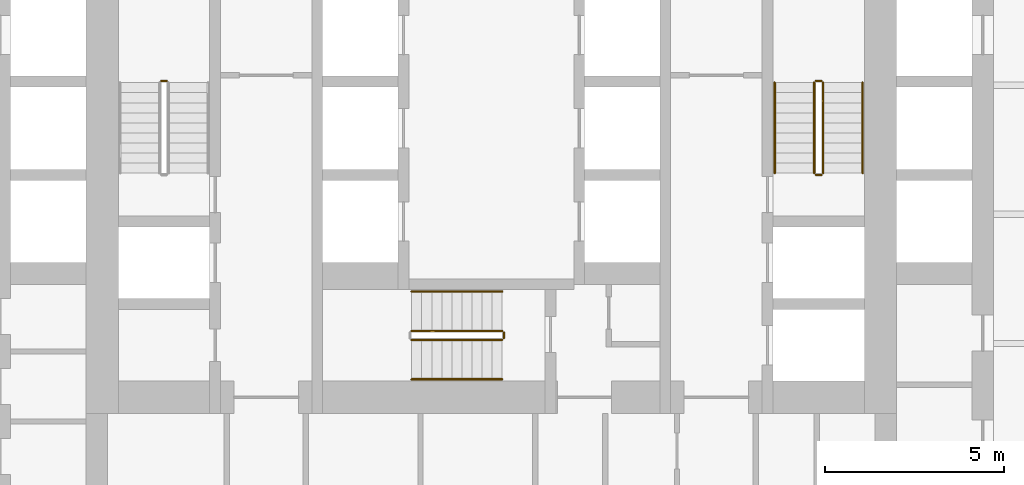
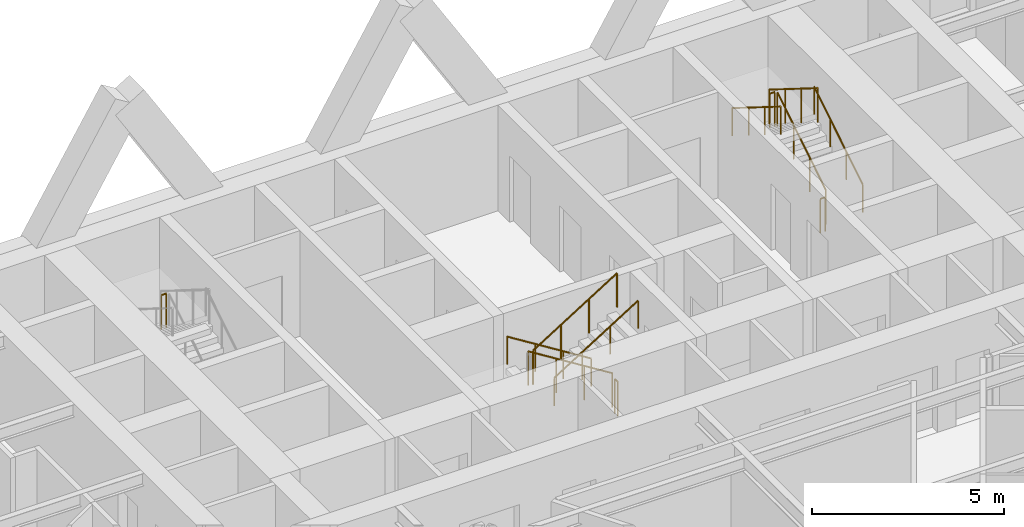
# One storey, part 11 of 11: 12 railings.
"""IFC4 building model written with IfcOpenShell, lengths in metres."""

from ifc_helpers import new_model, si_unit, direction, frame, origin, origin_2d, place, context, subcontext, project, spatial, circle, extrude, material, type_object, element, save


model = new_model("IFC4")

# Units and contexts
model_context = context("Model", 3, precision=1e-05, world=origin(), true_north=direction((0.0, 1.0)))
body_context = subcontext(model_context, "Body", "Model", "MODEL_VIEW")
ifc_project = project(units=[si_unit("LENGTHUNIT", "METRE"), si_unit("AREAUNIT", "SQUARE_METRE"), si_unit("VOLUMEUNIT", "CUBIC_METRE"), si_unit("PLANEANGLEUNIT", "RADIAN"), si_unit("MASSUNIT", "GRAM", prefix="KILO")], contexts=[model_context])

# Site, building, storey
site_placement = place(None, origin())
site = spatial("IfcSite", under=ifc_project, at=site_placement, CompositionType="ELEMENT")
building_placement = place(site_placement, origin())
building = spatial("IfcBuilding", under=site, at=building_placement, Name="Aloe Facet Convention Tower", CompositionType="ELEMENT")
storey_placement = place(building_placement, frame((0.0, 0.0, 95.800048828125)))
storey = spatial("IfcBuildingStorey", under=building, at=storey_placement, Name="L23", CompositionType="ELEMENT", Elevation=95.800048828125)

# Railings
ifc_material_1 = material(Name="Steel S355 balustrade", Category="steel")
railing_type_1 = type_object("IfcRailingType", Name="CR-RL-GUARD", PredefinedType="GUARDRAIL", material=ifc_material_1)
railing_1_placement = place(storey_placement, frame((70.949951171875, 131.52001953125, 1.75)))
element("IfcRailing", 1, at=railing_1_placement, inside=storey, type_object=railing_type_1, Name="L23 ST1 stair guard 2", PredefinedType="GUARDRAIL", context=body_context, shape_type="SweptSolid", body=[
    extrude(circle(Radius=0.02392578125, at=origin_2d()), frame((0.0, 0.0, 1.076171875), z_axis=(-1.0, 0.0, 0.0), x_axis=(0.0, -1.0, 0.0)), (0.0, 0.0, 1.0), 0.14990234375),
    extrude(circle(Radius=0.02099609375, at=origin_2d()), origin(), (0.0, 0.0, 1.0), 1.052001953125),
    extrude(circle(Radius=0.02099609375, at=origin_2d()), frame((-0.14990234375, 0.0, 0.0)), (0.0, 0.0, 1.0), 1.052001953125),
])
railing_2_placement = place(storey_placement, frame((89.25, 128.949951171875, 0.175048828125)))
element("IfcRailing", 2, at=railing_2_placement, inside=storey, type_object=railing_type_1, Name="L23 ST2 stair guard 1", PredefinedType="GUARDRAIL", context=body_context, shape_type="SweptSolid", body=[
    extrude(circle(Radius=0.02392578125, at=origin_2d()), frame((0.0, 0.0, 1.076171875), z_axis=(0.0, 0.848007534815, 0.529984170421), x_axis=(-1.0, 0.0, 0.0)), (0.0, 0.0, 1.0), 2.9716796875),
    extrude(circle(Radius=0.02099609375, at=origin_2d()), origin(), (0.0, 0.0, 1.0), 1.052001953125),
    extrude(circle(Radius=0.02099609375, at=origin_2d()), frame((0.0, 0.840087890625, 0.52490234375)), (0.0, 0.0, 1.0), 1.052001953125),
    extrude(circle(Radius=0.02099609375, at=origin_2d()), frame((0.0, 1.679931640625, 1.050048828125)), (0.0, 0.0, 1.0), 1.052001953125),
    extrude(circle(Radius=0.02099609375, at=origin_2d()), frame((0.0, 2.52001953125, 1.574951171875)), (0.0, 0.0, 1.0), 1.052001953125),
])
railing_3_placement = place(storey_placement, frame((89.199951171875, 131.52001953125, 1.75)))
element("IfcRailing", 3, at=railing_3_placement, inside=storey, type_object=railing_type_1, Name="L23 ST2 stair guard 2", PredefinedType="GUARDRAIL", context=body_context, shape_type="SweptSolid", body=[
    extrude(circle(Radius=0.02392578125, at=origin_2d()), frame((0.0, 0.0, 1.076171875), z_axis=(-1.0, 0.0, 0.0), x_axis=(0.0, -1.0, 0.0)), (0.0, 0.0, 1.0), 0.14990234375),
    extrude(circle(Radius=0.02099609375, at=origin_2d()), origin(), (0.0, 0.0, 1.0), 1.052001953125),
    extrude(circle(Radius=0.02099609375, at=origin_2d()), frame((-0.14990234375, 0.0, 0.0)), (0.0, 0.0, 1.0), 1.052001953125),
])
railing_4_placement = place(storey_placement, frame((89.0, 131.469970703125, 1.925048828125)))
element("IfcRailing", 4, at=railing_4_placement, inside=storey, type_object=railing_type_1, Name="L23 ST2 stair guard 3", PredefinedType="GUARDRAIL", context=body_context, shape_type="SweptSolid", body=[
    extrude(circle(Radius=0.02392578125, at=origin_2d()), frame((0.0, 0.0, 1.076171875), z_axis=(0.0, -0.848007534815, 0.529984170421), x_axis=(1.0, 0.0, 0.0)), (0.0, 0.0, 1.0), 2.9716796875),
    extrude(circle(Radius=0.02099609375, at=origin_2d()), origin(), (0.0, 0.0, 1.0), 1.052001953125),
    extrude(circle(Radius=0.02099609375, at=origin_2d()), frame((0.0, -0.840087890625, 0.52490234375)), (0.0, 0.0, 1.0), 1.052001953125),
    extrude(circle(Radius=0.02099609375, at=origin_2d()), frame((0.0, -1.679931640625, 1.050048828125)), (0.0, 0.0, 1.0), 1.052001953125),
    extrude(circle(Radius=0.02099609375, at=origin_2d()), frame((0.0, -2.52001953125, 1.574951171875)), (0.0, 0.0, 1.0), 1.052001953125),
])
railing_5_placement = place(storey_placement, frame((89.199951171875, 128.89990234375, 0.0)))
element("IfcRailing", 5, at=railing_5_placement, inside=storey, type_object=railing_type_1, Name="L23 ST2 stair guard 4", PredefinedType="GUARDRAIL", context=body_context, shape_type="SweptSolid", body=[
    extrude(circle(Radius=0.02392578125, at=origin_2d()), frame((0.0, 0.0, 1.076171875), z_axis=(-1.0, 0.0, 0.0), x_axis=(0.0, -1.0, 0.0)), (0.0, 0.0, 1.0), 0.14990234375),
    extrude(circle(Radius=0.02099609375, at=origin_2d()), origin(), (0.0, 0.0, 1.0), 1.052001953125),
    extrude(circle(Radius=0.02099609375, at=origin_2d()), frame((-0.14990234375, 0.0, 0.0)), (0.0, 0.0, 1.0), 1.052001953125),
])
railing_6_placement = place(storey_placement, frame((80.300048828125, 124.550048828125, 0.175048828125)))
element("IfcRailing", 6, at=railing_6_placement, inside=storey, type_object=railing_type_1, Name="L23 ST3 stair guard 1", PredefinedType="GUARDRAIL", context=body_context, shape_type="SweptSolid", body=[
    extrude(circle(Radius=0.02392578125, at=origin_2d()), frame((0.0, 0.0, 1.076171875), z_axis=(-0.848007534815, 0.0, 0.529984170421), x_axis=(0.0, -1.0, 0.0)), (0.0, 0.0, 1.0), 2.9716796875),
    extrude(circle(Radius=0.02099609375, at=origin_2d()), origin(), (0.0, 0.0, 1.0), 1.052001953125),
    extrude(circle(Radius=0.02099609375, at=origin_2d()), frame((-0.840087890625, 0.0, 0.52490234375)), (0.0, 0.0, 1.0), 1.052001953125),
    extrude(circle(Radius=0.02099609375, at=origin_2d()), frame((-1.679931640625, 0.0, 1.050048828125)), (0.0, 0.0, 1.0), 1.052001953125),
    extrude(circle(Radius=0.02099609375, at=origin_2d()), frame((-2.52001953125, 0.0, 1.574951171875)), (0.0, 0.0, 1.0), 1.052001953125),
])
railing_7_placement = place(storey_placement, frame((77.780029296875, 124.300048828125, 1.925048828125)))
element("IfcRailing", 7, at=railing_7_placement, inside=storey, type_object=railing_type_1, Name="L23 ST3 stair guard 3", PredefinedType="GUARDRAIL", context=body_context, shape_type="SweptSolid", body=[
    extrude(circle(Radius=0.02392578125, at=origin_2d()), frame((0.0, 0.0, 1.076171875), z_axis=(0.848007534815, 0.0, 0.529984170421), x_axis=(0.0, 1.0, 0.0)), (0.0, 0.0, 1.0), 2.9716796875),
    extrude(circle(Radius=0.02099609375, at=origin_2d()), origin(), (0.0, 0.0, 1.0), 1.052001953125),
    extrude(circle(Radius=0.02099609375, at=origin_2d()), frame((0.840087890625, 0.0, 0.52490234375)), (0.0, 0.0, 1.0), 1.052001953125),
    extrude(circle(Radius=0.02099609375, at=origin_2d()), frame((1.679931640625, 0.0, 1.050048828125)), (0.0, 0.0, 1.0), 1.052001953125),
    extrude(circle(Radius=0.02099609375, at=origin_2d()), frame((2.52001953125, 0.0, 1.574951171875)), (0.0, 0.0, 1.0), 1.052001953125),
])
railing_8_placement = place(storey_placement, frame((80.35009765625, 124.5, 0.0)))
element("IfcRailing", 8, at=railing_8_placement, inside=storey, type_object=railing_type_1, Name="L23 ST3 stair guard 4", PredefinedType="GUARDRAIL", context=body_context, shape_type="SweptSolid", body=[
    extrude(circle(Radius=0.02392578125, at=origin_2d()), frame((0.0, 0.0, 1.076171875), z_axis=(0.0, -1.0, 0.0), x_axis=(1.0, 0.0, 0.0)), (0.0, 0.0, 1.0), 0.14990234375),
    extrude(circle(Radius=0.02099609375, at=origin_2d()), origin(), (0.0, 0.0, 1.0), 1.052001953125),
    extrude(circle(Radius=0.02099609375, at=origin_2d()), frame((0.0, -0.14990234375, 0.0)), (0.0, 0.0, 1.0), 1.052001953125),
])
ifc_material_2 = material(Name="Steel S355 handrail", Category="steel")
railing_type_2 = type_object("IfcRailingType", Name="CR-RL-HAND", PredefinedType="HANDRAIL", material=ifc_material_2)
railing_9_placement = place(storey_placement, frame((90.35009765625, 128.949951171875, 0.175048828125)))
element("IfcRailing", 9, at=railing_9_placement, inside=storey, type_object=railing_type_2, Name="L23 ST2 stair handrail 1", PredefinedType="HANDRAIL", context=body_context, shape_type="SweptSolid", body=[
    extrude(circle(Radius=0.02392578125, at=origin_2d()), frame((0.0, 0.0, 0.8759765625), z_axis=(0.0, 0.848007534815, 0.529984170421), x_axis=(-1.0, 0.0, 0.0)), (0.0, 0.0, 1.0), 2.9716796875),
    extrude(circle(Radius=0.02099609375, at=origin_2d()), origin(), (0.0, 0.0, 1.0), 0.851806640625),
    extrude(circle(Radius=0.02099609375, at=origin_2d()), frame((0.0, 0.840087890625, 0.52490234375)), (0.0, 0.0, 1.0), 0.851806640625),
    extrude(circle(Radius=0.02099609375, at=origin_2d()), frame((0.0, 1.679931640625, 1.050048828125)), (0.0, 0.0, 1.0), 0.851806640625),
    extrude(circle(Radius=0.02099609375, at=origin_2d()), frame((0.0, 2.52001953125, 1.574951171875)), (0.0, 0.0, 1.0), 0.851806640625),
])
railing_10_placement = place(storey_placement, frame((87.89990234375, 131.469970703125, 1.925048828125)))
element("IfcRailing", 10, at=railing_10_placement, inside=storey, type_object=railing_type_2, Name="L23 ST2 stair handrail 2", PredefinedType="HANDRAIL", context=body_context, shape_type="SweptSolid", body=[
    extrude(circle(Radius=0.02392578125, at=origin_2d()), frame((0.0, 0.0, 0.8759765625), z_axis=(0.0, -0.848007534815, 0.529984170421), x_axis=(1.0, 0.0, 0.0)), (0.0, 0.0, 1.0), 2.9716796875),
    extrude(circle(Radius=0.02099609375, at=origin_2d()), origin(), (0.0, 0.0, 1.0), 0.851806640625),
    extrude(circle(Radius=0.02099609375, at=origin_2d()), frame((0.0, -0.840087890625, 0.52490234375)), (0.0, 0.0, 1.0), 0.851806640625),
    extrude(circle(Radius=0.02099609375, at=origin_2d()), frame((0.0, -1.679931640625, 1.050048828125)), (0.0, 0.0, 1.0), 0.851806640625),
    extrude(circle(Radius=0.02099609375, at=origin_2d()), frame((0.0, -2.52001953125, 1.574951171875)), (0.0, 0.0, 1.0), 0.851806640625),
])
railing_11_placement = place(storey_placement, frame((80.300048828125, 125.64990234375, 0.175048828125)))
element("IfcRailing", 11, at=railing_11_placement, inside=storey, type_object=railing_type_2, Name="L23 ST3 stair handrail 1", PredefinedType="HANDRAIL", context=body_context, shape_type="SweptSolid", body=[
    extrude(circle(Radius=0.02392578125, at=origin_2d()), frame((0.0, 0.0, 0.8759765625), z_axis=(-0.848007534815, 0.0, 0.529984170421), x_axis=(0.0, -1.0, 0.0)), (0.0, 0.0, 1.0), 2.9716796875),
    extrude(circle(Radius=0.02099609375, at=origin_2d()), origin(), (0.0, 0.0, 1.0), 0.851806640625),
    extrude(circle(Radius=0.02099609375, at=origin_2d()), frame((-0.840087890625, 0.0, 0.52490234375)), (0.0, 0.0, 1.0), 0.851806640625),
    extrude(circle(Radius=0.02099609375, at=origin_2d()), frame((-1.679931640625, 0.0, 1.050048828125)), (0.0, 0.0, 1.0), 0.851806640625),
    extrude(circle(Radius=0.02099609375, at=origin_2d()), frame((-2.52001953125, 0.0, 1.574951171875)), (0.0, 0.0, 1.0), 0.851806640625),
])
railing_12_placement = place(storey_placement, frame((77.780029296875, 123.199951171875, 1.925048828125)))
element("IfcRailing", 12, at=railing_12_placement, inside=storey, type_object=railing_type_2, Name="L23 ST3 stair handrail 2", PredefinedType="HANDRAIL", context=body_context, shape_type="SweptSolid", body=[
    extrude(circle(Radius=0.02392578125, at=origin_2d()), frame((0.0, 0.0, 0.8759765625), z_axis=(0.848007534815, 0.0, 0.529984170421), x_axis=(0.0, 1.0, 0.0)), (0.0, 0.0, 1.0), 2.9716796875),
    extrude(circle(Radius=0.02099609375, at=origin_2d()), origin(), (0.0, 0.0, 1.0), 0.851806640625),
    extrude(circle(Radius=0.02099609375, at=origin_2d()), frame((0.840087890625, 0.0, 0.52490234375)), (0.0, 0.0, 1.0), 0.851806640625),
    extrude(circle(Radius=0.02099609375, at=origin_2d()), frame((1.679931640625, 0.0, 1.050048828125)), (0.0, 0.0, 1.0), 0.851806640625),
    extrude(circle(Radius=0.02099609375, at=origin_2d()), frame((2.52001953125, 0.0, 1.574951171875)), (0.0, 0.0, 1.0), 0.851806640625),
])

save(model, "model.ifc")
